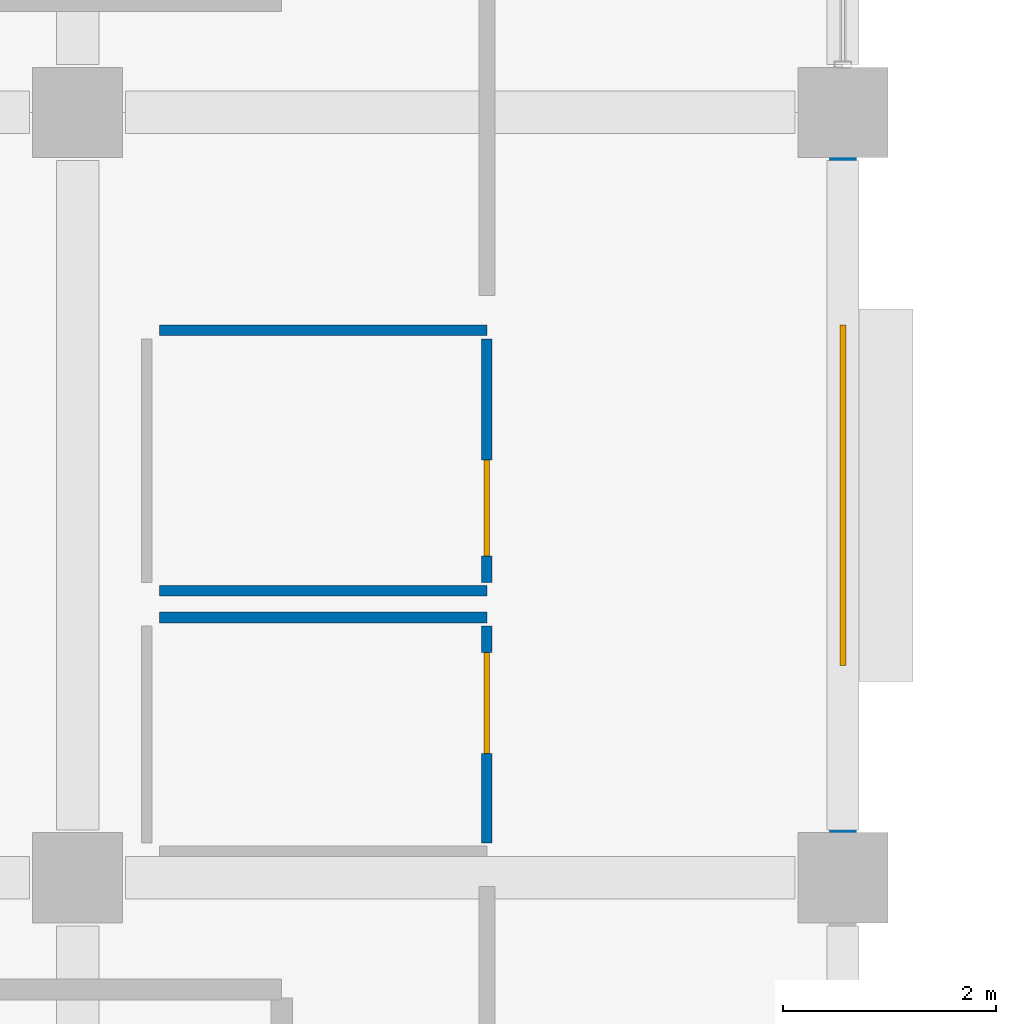
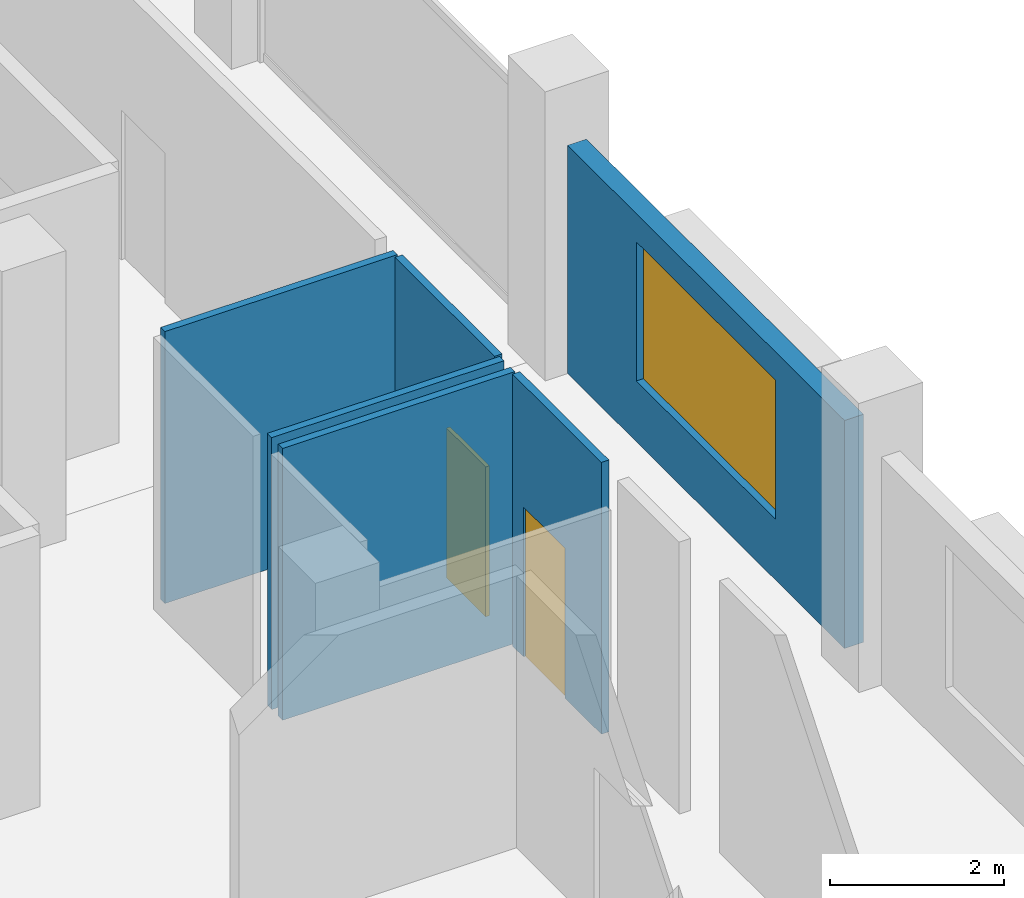
# One storey, part 78 of 107: 6 walls, 2 doors, 1 window, 3 openings.
"""IFC4 building model written with IfcOpenShell, lengths in metres."""

import ifcopenshell
import ifcopenshell.guid

model = None  # the IFC model being written
_history = None  # IfcOwnerHistory: only IFC2X3 demands one
_inside = {}  # id of a spatial element -> (the spatial element, [elements in it])
_under = {}  # id of a project, library or spatial element -> (it, [spatial elements below it])
_declared = {}  # id of a project -> (the project, [libraries it declares])
_typed = {}  # id of a type object -> (the type object, [elements of that type])
_made_of = {}  # id of a material, layer set ... -> (it, [elements and type objects made of it])


def new_model(schema):
    """Start an empty IFC model of exactly this schema.

    Asked for "IFC4X3", IfcOpenShell would pick the latest addendum, in which some entities
    have other attributes; the version numbers below select the first issue.
    IFC2X3 requires an IfcOwnerHistory on every rooted entity: one is made here for all.
    """
    global model, _history
    if schema == "IFC4X3":
        model = ifcopenshell.file(schema_version=(4, 3, 0, 0))
    else:
        model = ifcopenshell.file(schema=schema)
    _inside.clear()
    _under.clear()
    _declared.clear()
    _typed.clear()
    _made_of.clear()
    _history = None
    if model.schema == "IFC2X3":
        org = make("IfcOrganization", Name="unknown")
        user = make(
            "IfcPersonAndOrganization",
            ThePerson=make("IfcPerson", FamilyName="unknown"),
            TheOrganization=org,
        )
        app = make(
            "IfcApplication",
            ApplicationDeveloper=org,
            Version="unknown",
            ApplicationFullName="unknown",
            ApplicationIdentifier="unknown",
        )
        _history = make(
            "IfcOwnerHistory",
            OwningUser=user,
            OwningApplication=app,
            ChangeAction="ADDED",
            CreationDate=0,
        )
    return model


def make(cls, **values):
    """One entity of the class cls with the attributes given. An attribute that is None is left unset."""
    return model.create_entity(
        cls, **{name: value for name, value in values.items() if value is not None}
    )


def rooted(cls, **values):
    """An entity with a GlobalId (a new one), such as an element, a storey or a relation."""
    return make(cls, GlobalId=ifcopenshell.guid.new(), OwnerHistory=_history, **values)


def si_unit(unit_type, name, prefix=None):
    """IfcSIUnit, for example si_unit("LENGTHUNIT", "METRE", prefix="MILLI")."""
    return make("IfcSIUnit", UnitType=unit_type, Prefix=prefix, Name=name)


def assignment(units):
    """IfcUnitAssignment: the units of a project."""
    return None if units is None else make("IfcUnitAssignment", Units=units)


def point(xyz):
    """IfcCartesianPoint."""
    return None if xyz is None else make("IfcCartesianPoint", Coordinates=xyz)


def direction(xyz):
    """IfcDirection."""
    return None if xyz is None else make("IfcDirection", DirectionRatios=xyz)


def frame(location, z_axis=None, x_axis=None):
    """IfcAxis2Placement3D, a coordinate frame: its origin and axes. An axis left out is left unset."""
    return make(
        "IfcAxis2Placement3D",
        Location=point(location),
        Axis=direction(z_axis),
        RefDirection=direction(x_axis),
    )


def frame_2d(location, x_axis=None):
    """IfcAxis2Placement2D, a coordinate frame in the plane: its origin and x axis."""
    return make(
        "IfcAxis2Placement2D", Location=point(location), RefDirection=direction(x_axis)
    )


def origin():
    """The frame at (0, 0, 0) with its axes left unset."""
    return frame((0.0, 0.0, 0.0))


def place(relative_to, where):
    """IfcLocalPlacement: puts the frame where relative to a parent placement (None: the world)."""
    return make(
        "IfcLocalPlacement", PlacementRelTo=relative_to, RelativePlacement=where
    )


def context(
    kind, dimensions, precision=None, world=None, true_north=None, identifier=None
):
    """IfcGeometricRepresentationContext, for example the 3D "Model" context."""
    return make(
        "IfcGeometricRepresentationContext",
        ContextIdentifier=identifier,
        ContextType=kind,
        CoordinateSpaceDimension=dimensions,
        Precision=precision,
        WorldCoordinateSystem=world,
        TrueNorth=true_north,
    )


def subcontext(parent, identifier, kind, view, scale=None):
    """IfcGeometricRepresentationSubContext, for example "Body" below "Model"."""
    return make(
        "IfcGeometricRepresentationSubContext",
        ContextIdentifier=identifier,
        ContextType=kind,
        ParentContext=parent,
        TargetScale=scale,
        TargetView=view,
    )


def project(units=None, contexts=None):
    """IfcProject with its units and contexts."""
    return rooted(
        "IfcProject",
        Name="project",
        RepresentationContexts=contexts,
        UnitsInContext=assignment(units),
    )


def spatial(cls, under=None, at=None, **own):
    """A site, building, storey or space (cls), placed at a placement, below another one or the project."""
    s = rooted(cls, ObjectPlacement=at, **own)
    if under is not None:
        _under.setdefault(under.id(), (under, []))[1].append(s)
    return s


def profile(cls, at=None, kind="AREA", **sizes):
    """A parametric profile (cls). Its sizes go by their IFC names, for example OverallWidth=200.0."""
    return make(cls, ProfileType=kind, Position=at, **sizes)


def rectangle(**sizes):
    """IfcRectangleProfileDef."""
    return profile("IfcRectangleProfileDef", **sizes)


def extrude(swept, where, along, depth):
    """IfcExtrudedAreaSolid: the profile swept, set in the frame where, extruded along a direction by depth."""
    return make(
        "IfcExtrudedAreaSolid",
        SweptArea=swept,
        Position=where,
        ExtrudedDirection=direction(along),
        Depth=depth,
    )


def shape(context_of_items, identifier, shape_type, items):
    """IfcShapeRepresentation: the items that make up one representation, for example the "Body"."""
    return make(
        "IfcShapeRepresentation",
        ContextOfItems=context_of_items,
        RepresentationIdentifier=identifier,
        RepresentationType=shape_type,
        Items=items,
    )


def material(Name=None, Category=None):
    """IfcMaterial."""
    return make("IfcMaterial", Name=Name, Category=Category)


def layer(
    of_material, thickness, ventilated=None, Name=None, Category=None, Priority=None
):
    """IfcMaterialLayer: one layer of a wall or slab, of a material (None: an air gap)."""
    return make(
        "IfcMaterialLayer",
        Material=of_material,
        LayerThickness=thickness,
        IsVentilated=ventilated,
        Name=Name,
        Category=Category,
        Priority=Priority,
    )


def layer_set(layers, Name=None):
    """IfcMaterialLayerSet."""
    return make("IfcMaterialLayerSet", MaterialLayers=layers, LayerSetName=Name)


def made_of(thing, what):
    """Note that an element or type object is made of a material, layer set ...; save() writes the relation."""
    if what is not None:
        _made_of.setdefault(what.id(), (what, []))[1].append(thing)
    return thing


def type_object(cls, material=None, **own):
    """A type object (cls), such as IfcWallType, which elements share."""
    return made_of(rooted(cls, **own), material)


def element(
    cls,
    number,
    at=None,
    inside=None,
    cuts=None,
    type_object=None,
    material=None,
    context=None,
    identifier="Body",
    shape_type=None,
    held_by="IfcProductDefinitionShape",
    body=None,
    shapes=None,
    **own,
):
    """One element of the class cls, such as IfcWall. Its Tag is "e" and its number.

    at: its placement. inside: the storey or other place that contains it. cuts: it is an
    opening in that element (IfcRelVoidsElement). A single representation is given by context,
    identifier, shape_type and body (its items); several are given by shapes. held_by: the class
    of the entity that holds the representations. save() writes the other relations.
    """
    e = rooted(cls, Tag="e%d" % number, ObjectPlacement=at, **own)
    if body is not None:
        shapes = [shape(context, identifier, shape_type, body)]
    if shapes is not None:
        e.Representation = make(held_by, Representations=shapes)
    if inside is not None:
        _inside.setdefault(inside.id(), (inside, []))[1].append(e)
    if cuts is not None:
        rooted(
            "IfcRelVoidsElement", RelatingBuildingElement=cuts, RelatedOpeningElement=e
        )
    if type_object is not None:
        _typed.setdefault(type_object.id(), (type_object, []))[1].append(e)
    return made_of(e, material)


def fill(opening, filler):
    """IfcRelFillsElement: the door or window that sits in an opening."""
    return rooted(
        "IfcRelFillsElement",
        RelatingOpeningElement=opening,
        RelatedBuildingElement=filler,
    )


def aggregate(whole, parts):
    """IfcRelAggregates: a whole, such as a stair, and the parts it consists of."""
    return rooted("IfcRelAggregates", RelatingObject=whole, RelatedObjects=parts)


def save(model, path):
    """Write the relations noted so far, then the file.

    IfcRelAggregates (storeys below a building ...), IfcRelContainedInSpatialStructure (elements
    in a storey), IfcRelDefinesByType, IfcRelAssociatesMaterial and IfcRelDeclares: one each for
    every whole, place, type object, material and project.
    """
    for whole, parts in _under.values():
        aggregate(whole, parts)
    for where, things in _inside.values():
        rooted(
            "IfcRelContainedInSpatialStructure",
            RelatedElements=things,
            RelatingStructure=where,
        )
    for kind, things in _typed.values():
        rooted("IfcRelDefinesByType", RelatedObjects=things, RelatingType=kind)
    for what, things in _made_of.values():
        rooted("IfcRelAssociatesMaterial", RelatedObjects=things, RelatingMaterial=what)
    for by, libraries in _declared.values():
        rooted("IfcRelDeclares", RelatingContext=by, RelatedDefinitions=libraries)
    model.write(path)


model = new_model("IFC4")

# Units and contexts
model_context = context("Model", 3, precision=1e-05, world=origin(), true_north=direction((0.0, 1.0)))
body_context = subcontext(model_context, "Body", "Model", "MODEL_VIEW")
ifc_project = project(units=[si_unit("LENGTHUNIT", "METRE"), si_unit("AREAUNIT", "SQUARE_METRE"), si_unit("VOLUMEUNIT", "CUBIC_METRE"), si_unit("PLANEANGLEUNIT", "RADIAN"), si_unit("MASSUNIT", "GRAM", prefix="KILO")], contexts=[model_context])

# Site, building, storey
site_placement = place(None, origin())
site = spatial("IfcSite", under=ifc_project, at=site_placement, CompositionType="ELEMENT")
building_placement = place(site_placement, origin())
building = spatial("IfcBuilding", under=site, at=building_placement, Name="Kangsadwip Square Police Headquarters", CompositionType="ELEMENT")
storey_placement = place(building_placement, frame((0.0, 0.0, 5.39990234375)))
storey = spatial("IfcBuildingStorey", under=building, at=storey_placement, Name="L01", CompositionType="ELEMENT", Elevation=5.39990234375)

# Wall, opening, window
ifc_material_1 = material(Name="Glazed architectural terracotta masonry rainscreen", Category="masonry")
ifc_layer_1 = layer(ifc_material_1, 0.25)
ifc_layer_set_1 = layer_set([ifc_layer_1], Name="Glazed architectural terracotta masonry rainscreen")
wall_type_1 = type_object("IfcWallType", Name="ChicagoTerracottaWall250", PredefinedType="SOLIDWALL", material=ifc_layer_set_1)
wall_1_placement = place(storey_placement, frame((21.60009765625, 58.02001953125, 0.0), z_axis=(0.0, 0.0, 1.0), x_axis=(0.0, 1.0, 0.0)))
wall_1 = element("IfcWall", 1, at=wall_1_placement, inside=storey, type_object=wall_type_1, Name="Exterior Wall WE-L01-265", PredefinedType="SOLIDWALL", context=body_context, shape_type="SweptSolid", body=[
    extrude(rectangle(XDim=6.35986328125, YDim=0.25, at=frame_2d((3.179931640625, 0.0))), origin(), (0.0, 0.0, 1.0), 3.195068359375),
])
opening_1_placement = place(wall_1_placement, frame((1.580078125, 0.0, 0.85009765625)))
opening_1 = element("IfcOpeningElement", 2, at=opening_1_placement, cuts=wall_1, Name="Opening WN-03", PredefinedType="OPENING", context=body_context, shape_type="SweptSolid", body=[
    extrude(rectangle(XDim=3.199951171875, YDim=1.949951171875, at=frame_2d((1.60009765625, 0.97509765625))), frame((0.0, 0.135009765625, 0.0), z_axis=(0.0, -1.0, 0.0), x_axis=(1.0, 0.0, 0.0)), (0.0, 0.0, 1.0), 0.27001953125),
])
ifc_material_2 = material(Name="Double-glazed solar-control low-E safety glass", Category="glass")
window_type = type_object("IfcWindowType", Name="ChicagoTripartiteWin3200x1950", PartitioningType="TRIPLE_PANEL_HORIZONTAL", PredefinedType="WINDOW", material=ifc_material_2)
window_placement = place(opening_1_placement, origin())
window = element("IfcWindow", 3, at=window_placement, inside=storey, type_object=window_type, Name="Window WN-L01-0118", OverallHeight=1.949951171875, OverallWidth=3.199951171875, PartitioningType="SINGLE_PANEL", PredefinedType="WINDOW", context=body_context, shape_type="SweptSolid", body=[
    extrude(rectangle(XDim=3.199951171875, YDim=1.949951171875, at=frame_2d((1.60009765625, 0.97509765625))), frame((0.0, 0.030029296875, 0.0), z_axis=(0.0, -1.0, 0.0), x_axis=(1.0, 0.0, 0.0)), (0.0, 0.0, 1.0), 0.06005859375),
])
fill(opening_1, window)

# Wall, opening, door
ifc_material_3 = material(Name="Autoclaved aerated concrete blockwork masonry", Category="masonry")
ifc_layer_2 = layer(ifc_material_3, 0.10009765625)
ifc_layer_set_2 = layer_set([ifc_layer_2], Name="Autoclaved aerated concrete blockwork masonry")
wall_type_2 = type_object("IfcWallType", Name="WetWallPartition100", PredefinedType="PARTITIONING", material=ifc_layer_set_2)
wall_2_placement = place(storey_placement, frame((18.25, 57.929931640625, 0.0), z_axis=(0.0, 0.0, 1.0), x_axis=(0.0, 1.0, 0.0)))
wall_2 = element("IfcWall", 4, at=wall_2_placement, inside=storey, type_object=wall_type_2, Name="Interior Wall WI-L01-0718", PredefinedType="PARTITIONING", context=body_context, shape_type="SweptSolid", body=[
    extrude(rectangle(XDim=2.0400390625, YDim=0.10009765625, at=frame_2d((1.02001953125, 0.0))), origin(), (0.0, 0.0, 1.0), 3.81005859375),
])
opening_2_placement = place(wall_2_placement, frame((0.840087890625, 0.0, 0.0)))
opening_2 = element("IfcOpeningElement", 5, at=opening_2_placement, cuts=wall_2, Name="Opening WD-09A", PredefinedType="OPENING", context=body_context, shape_type="SweptSolid", body=[
    extrude(rectangle(XDim=0.949951171875, YDim=2.10009765625, at=frame_2d((0.47509765625, 1.050048828125))), frame((0.0, 0.06005859375, 0.0), z_axis=(0.0, -1.0, 0.0), x_axis=(1.0, 0.0, 0.0)), (0.0, 0.0, 1.0), 0.1201171875),
])
ifc_material_4 = material(Name="Solid-core seasoned teak hardwood architectural door", Category="wood")
door_type_1 = type_object("IfcDoorType", Name="AccessibleWcDoor950x2100", OperationType="NOTDEFINED", PredefinedType="DOOR", material=ifc_material_4)
door_1_placement = place(opening_2_placement, origin())
door_1 = element("IfcDoor", 6, at=door_1_placement, inside=storey, type_object=door_type_1, Name="Interior Door ID-L01-0157", OperationType="SINGLE_SWING_RIGHT", OverallHeight=2.10009765625, OverallWidth=0.949951171875, PredefinedType="DOOR", context=body_context, shape_type="SweptSolid", body=[
    extrude(rectangle(XDim=0.949951171875, YDim=2.10009765625, at=frame_2d((0.47509765625, 1.050048828125))), frame((0.0, 0.02490234375, 0.0), z_axis=(0.0, -1.0, 0.0), x_axis=(1.0, 0.0, 0.0)), (0.0, 0.0, 1.0), 0.050048828125),
])
fill(opening_2, door_1)

# Wall
wall_3_placement = place(storey_placement, frame((15.169921875, 60.050048828125, 0.0), z_axis=(0.0, 0.0, 1.0), x_axis=(1.0, 0.0, 0.0)))
element("IfcWall", 7, at=wall_3_placement, inside=storey, type_object=wall_type_2, Name="Interior Wall WI-L01-0720", PredefinedType="PARTITIONING", context=body_context, shape_type="SweptSolid", body=[
    extrude(rectangle(XDim=3.080078125, YDim=0.10009765625, at=frame_2d((1.5400390625, 0.0))), origin(), (0.0, 0.0, 1.0), 3.81005859375),
])

# Wall, opening, door
wall_4_placement = place(storey_placement, frame((18.25, 60.3798828125, 0.0), z_axis=(0.0, 0.0, 1.0), x_axis=(0.0, 1.0, 0.0)))
wall_4 = element("IfcWall", 8, at=wall_4_placement, inside=storey, type_object=wall_type_2, Name="Interior Wall WI-L01-0722", PredefinedType="PARTITIONING", context=body_context, shape_type="SweptSolid", body=[
    extrude(rectangle(XDim=2.2900390625, YDim=0.10009765625, at=frame_2d((1.14501953125, 0.0))), origin(), (0.0, 0.0, 1.0), 3.81005859375),
])
opening_3_placement = place(wall_4_placement, frame((0.25, 0.0, 0.0)))
opening_3 = element("IfcOpeningElement", 9, at=opening_3_placement, cuts=wall_4, Name="Opening WD-09B", PredefinedType="OPENING", context=body_context, shape_type="SweptSolid", body=[
    extrude(rectangle(XDim=0.89990234375, YDim=2.10009765625, at=frame_2d((0.449951171875, 1.050048828125))), frame((0.0, 0.06005859375, 0.0), z_axis=(0.0, -1.0, 0.0), x_axis=(1.0, 0.0, 0.0)), (0.0, 0.0, 1.0), 0.1201171875),
])
ifc_material_5 = material(Name="Solid-core seasoned teak hardwood architectural door", Category="wood")
door_type_2 = type_object("IfcDoorType", Name="ToiletRoomDoor900x2100", OperationType="NOTDEFINED", PredefinedType="DOOR", material=ifc_material_5)
door_2_placement = place(opening_3_placement, origin())
door_2 = element("IfcDoor", 10, at=door_2_placement, inside=storey, type_object=door_type_2, Name="Interior Door ID-L01-0158", OperationType="SINGLE_SWING_LEFT", OverallHeight=2.10009765625, OverallWidth=0.89990234375, PredefinedType="DOOR", context=body_context, shape_type="SweptSolid", body=[
    extrude(rectangle(XDim=0.89990234375, YDim=2.10009765625, at=frame_2d((0.449951171875, 1.050048828125))), frame((0.0, 0.02490234375, 0.0), z_axis=(0.0, -1.0, 0.0), x_axis=(1.0, 0.0, 0.0)), (0.0, 0.0, 1.0), 0.050048828125),
])
fill(opening_3, door_2)

# Walls
for number, where, z_axis, x_axis, name in (
    (11, (15.169921875, 60.300048828125, 0.0), (0.0, 0.0, 1.0), (1.0, 0.0, 0.0), "Interior Wall WI-L01-0723"),
    (12, (15.169921875, 62.75, 0.0), (0.0, 0.0, 1.0), (1.0, 0.0, 0.0), "Interior Wall WI-L01-0724"),
):
    element("IfcWall", number, at=place(storey_placement, frame(where, z_axis=z_axis, x_axis=x_axis)), inside=storey, type_object=wall_type_2, Name=name, PredefinedType="PARTITIONING", context=body_context, shape_type="SweptSolid", body=[
        extrude(rectangle(XDim=3.080078125, YDim=0.10009765625, at=frame_2d((1.5400390625, 0.0))), origin(), (0.0, 0.0, 1.0), 3.81005859375),
    ])

save(model, "model.ifc")
